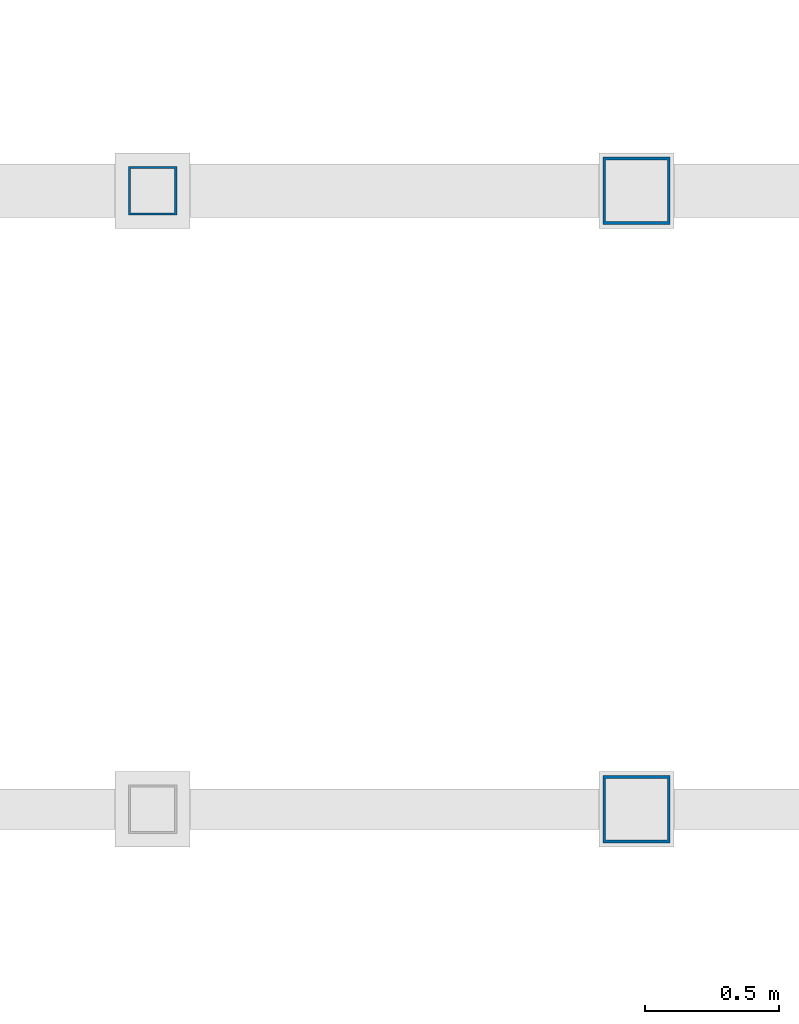
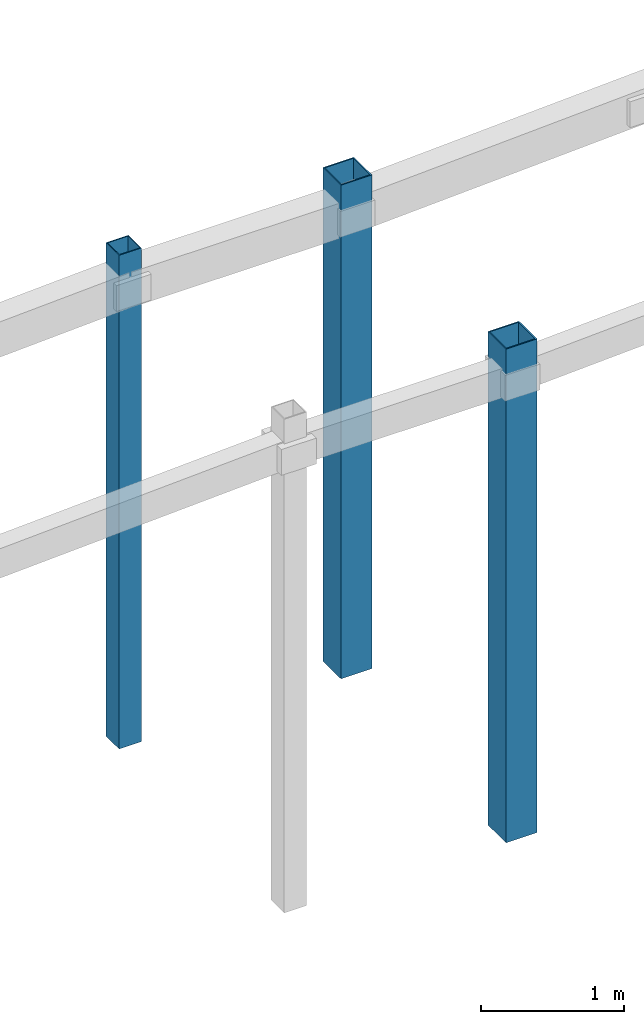
# One storey, part 10 of 89: 3 columns.
"""IFC4 building model written with IfcOpenShell, lengths in metres."""

import ifcopenshell
import ifcopenshell.guid

model = None  # the IFC model being written
_history = None  # IfcOwnerHistory: only IFC2X3 demands one
_inside = {}  # id of a spatial element -> (the spatial element, [elements in it])
_under = {}  # id of a project, library or spatial element -> (it, [spatial elements below it])
_declared = {}  # id of a project -> (the project, [libraries it declares])
_typed = {}  # id of a type object -> (the type object, [elements of that type])
_made_of = {}  # id of a material, layer set ... -> (it, [elements and type objects made of it])


def new_model(schema):
    """Start an empty IFC model of exactly this schema.

    Asked for "IFC4X3", IfcOpenShell would pick the latest addendum, in which some entities
    have other attributes; the version numbers below select the first issue.
    IFC2X3 requires an IfcOwnerHistory on every rooted entity: one is made here for all.
    """
    global model, _history
    if schema == "IFC4X3":
        model = ifcopenshell.file(schema_version=(4, 3, 0, 0))
    else:
        model = ifcopenshell.file(schema=schema)
    _inside.clear()
    _under.clear()
    _declared.clear()
    _typed.clear()
    _made_of.clear()
    _history = None
    if model.schema == "IFC2X3":
        org = make("IfcOrganization", Name="unknown")
        user = make(
            "IfcPersonAndOrganization",
            ThePerson=make("IfcPerson", FamilyName="unknown"),
            TheOrganization=org,
        )
        app = make(
            "IfcApplication",
            ApplicationDeveloper=org,
            Version="unknown",
            ApplicationFullName="unknown",
            ApplicationIdentifier="unknown",
        )
        _history = make(
            "IfcOwnerHistory",
            OwningUser=user,
            OwningApplication=app,
            ChangeAction="ADDED",
            CreationDate=0,
        )
    return model


def make(cls, **values):
    """One entity of the class cls with the attributes given. An attribute that is None is left unset."""
    return model.create_entity(
        cls, **{name: value for name, value in values.items() if value is not None}
    )


def rooted(cls, **values):
    """An entity with a GlobalId (a new one), such as an element, a storey or a relation."""
    return make(cls, GlobalId=ifcopenshell.guid.new(), OwnerHistory=_history, **values)


def si_unit(unit_type, name, prefix=None):
    """IfcSIUnit, for example si_unit("LENGTHUNIT", "METRE", prefix="MILLI")."""
    return make("IfcSIUnit", UnitType=unit_type, Prefix=prefix, Name=name)


def assignment(units):
    """IfcUnitAssignment: the units of a project."""
    return None if units is None else make("IfcUnitAssignment", Units=units)


def point(xyz):
    """IfcCartesianPoint."""
    return None if xyz is None else make("IfcCartesianPoint", Coordinates=xyz)


def direction(xyz):
    """IfcDirection."""
    return None if xyz is None else make("IfcDirection", DirectionRatios=xyz)


def frame(location, z_axis=None, x_axis=None):
    """IfcAxis2Placement3D, a coordinate frame: its origin and axes. An axis left out is left unset."""
    return make(
        "IfcAxis2Placement3D",
        Location=point(location),
        Axis=direction(z_axis),
        RefDirection=direction(x_axis),
    )


def frame_2d(location, x_axis=None):
    """IfcAxis2Placement2D, a coordinate frame in the plane: its origin and x axis."""
    return make(
        "IfcAxis2Placement2D", Location=point(location), RefDirection=direction(x_axis)
    )


def origin():
    """The frame at (0, 0, 0) with its axes left unset."""
    return frame((0.0, 0.0, 0.0))


def origin_2d():
    """The frame at (0, 0) in the plane with its x axis left unset."""
    return frame_2d((0.0, 0.0))


def place(relative_to, where):
    """IfcLocalPlacement: puts the frame where relative to a parent placement (None: the world)."""
    return make(
        "IfcLocalPlacement", PlacementRelTo=relative_to, RelativePlacement=where
    )


def context(
    kind, dimensions, precision=None, world=None, true_north=None, identifier=None
):
    """IfcGeometricRepresentationContext, for example the 3D "Model" context."""
    return make(
        "IfcGeometricRepresentationContext",
        ContextIdentifier=identifier,
        ContextType=kind,
        CoordinateSpaceDimension=dimensions,
        Precision=precision,
        WorldCoordinateSystem=world,
        TrueNorth=true_north,
    )


def subcontext(parent, identifier, kind, view, scale=None):
    """IfcGeometricRepresentationSubContext, for example "Body" below "Model"."""
    return make(
        "IfcGeometricRepresentationSubContext",
        ContextIdentifier=identifier,
        ContextType=kind,
        ParentContext=parent,
        TargetScale=scale,
        TargetView=view,
    )


def project(units=None, contexts=None):
    """IfcProject with its units and contexts."""
    return rooted(
        "IfcProject",
        Name="project",
        RepresentationContexts=contexts,
        UnitsInContext=assignment(units),
    )


def spatial(cls, under=None, at=None, **own):
    """A site, building, storey or space (cls), placed at a placement, below another one or the project."""
    s = rooted(cls, ObjectPlacement=at, **own)
    if under is not None:
        _under.setdefault(under.id(), (under, []))[1].append(s)
    return s


def profile(cls, at=None, kind="AREA", **sizes):
    """A parametric profile (cls). Its sizes go by their IFC names, for example OverallWidth=200.0."""
    return make(cls, ProfileType=kind, Position=at, **sizes)


def hollow_rectangle(**sizes):
    """IfcRectangleHollowProfileDef."""
    return profile("IfcRectangleHollowProfileDef", **sizes)


def extrude(swept, where, along, depth):
    """IfcExtrudedAreaSolid: the profile swept, set in the frame where, extruded along a direction by depth."""
    return make(
        "IfcExtrudedAreaSolid",
        SweptArea=swept,
        Position=where,
        ExtrudedDirection=direction(along),
        Depth=depth,
    )


def shape(context_of_items, identifier, shape_type, items):
    """IfcShapeRepresentation: the items that make up one representation, for example the "Body"."""
    return make(
        "IfcShapeRepresentation",
        ContextOfItems=context_of_items,
        RepresentationIdentifier=identifier,
        RepresentationType=shape_type,
        Items=items,
    )


def material(Name=None, Category=None):
    """IfcMaterial."""
    return make("IfcMaterial", Name=Name, Category=Category)


def material_profile(
    of_material, cross_section, Name=None, Category=None, Priority=None
):
    """IfcMaterialProfile: a cross section and its material."""
    return make(
        "IfcMaterialProfile",
        Name=Name,
        Material=of_material,
        Profile=cross_section,
        Priority=Priority,
        Category=Category,
    )


def profile_set(profiles, Name=None, composite=None):
    """IfcMaterialProfileSet."""
    return make(
        "IfcMaterialProfileSet",
        Name=Name,
        MaterialProfiles=profiles,
        CompositeProfile=composite,
    )


def made_of(thing, what):
    """Note that an element or type object is made of a material, layer set ...; save() writes the relation."""
    if what is not None:
        _made_of.setdefault(what.id(), (what, []))[1].append(thing)
    return thing


def type_object(cls, material=None, **own):
    """A type object (cls), such as IfcWallType, which elements share."""
    return made_of(rooted(cls, **own), material)


def element(
    cls,
    number,
    at=None,
    inside=None,
    cuts=None,
    type_object=None,
    material=None,
    context=None,
    identifier="Body",
    shape_type=None,
    held_by="IfcProductDefinitionShape",
    body=None,
    shapes=None,
    **own,
):
    """One element of the class cls, such as IfcWall. Its Tag is "e" and its number.

    at: its placement. inside: the storey or other place that contains it. cuts: it is an
    opening in that element (IfcRelVoidsElement). A single representation is given by context,
    identifier, shape_type and body (its items); several are given by shapes. held_by: the class
    of the entity that holds the representations. save() writes the other relations.
    """
    e = rooted(cls, Tag="e%d" % number, ObjectPlacement=at, **own)
    if body is not None:
        shapes = [shape(context, identifier, shape_type, body)]
    if shapes is not None:
        e.Representation = make(held_by, Representations=shapes)
    if inside is not None:
        _inside.setdefault(inside.id(), (inside, []))[1].append(e)
    if cuts is not None:
        rooted(
            "IfcRelVoidsElement", RelatingBuildingElement=cuts, RelatedOpeningElement=e
        )
    if type_object is not None:
        _typed.setdefault(type_object.id(), (type_object, []))[1].append(e)
    return made_of(e, material)


def aggregate(whole, parts):
    """IfcRelAggregates: a whole, such as a stair, and the parts it consists of."""
    return rooted("IfcRelAggregates", RelatingObject=whole, RelatedObjects=parts)


def save(model, path):
    """Write the relations noted so far, then the file.

    IfcRelAggregates (storeys below a building ...), IfcRelContainedInSpatialStructure (elements
    in a storey), IfcRelDefinesByType, IfcRelAssociatesMaterial and IfcRelDeclares: one each for
    every whole, place, type object, material and project.
    """
    for whole, parts in _under.values():
        aggregate(whole, parts)
    for where, things in _inside.values():
        rooted(
            "IfcRelContainedInSpatialStructure",
            RelatedElements=things,
            RelatingStructure=where,
        )
    for kind, things in _typed.values():
        rooted("IfcRelDefinesByType", RelatedObjects=things, RelatingType=kind)
    for what, things in _made_of.values():
        rooted("IfcRelAssociatesMaterial", RelatedObjects=things, RelatingMaterial=what)
    for by, libraries in _declared.values():
        rooted("IfcRelDeclares", RelatingContext=by, RelatedDefinitions=libraries)
    model.write(path)


model = new_model("IFC4")

# Units and contexts
model_context = context("Model", 3, precision=1e-05, world=origin(), true_north=direction((0.0, 1.0)))
body_context = subcontext(model_context, "Body", "Model", "MODEL_VIEW")
ifc_project = project(units=[si_unit("LENGTHUNIT", "METRE"), si_unit("AREAUNIT", "SQUARE_METRE"), si_unit("VOLUMEUNIT", "CUBIC_METRE"), si_unit("PLANEANGLEUNIT", "RADIAN"), si_unit("MASSUNIT", "GRAM", prefix="KILO")], contexts=[model_context])

# Site, building, storey
site_placement = place(None, origin())
site = spatial("IfcSite", under=ifc_project, at=site_placement, CompositionType="ELEMENT")
building_placement = place(site_placement, origin())
building = spatial("IfcBuilding", under=site, at=building_placement, Name="Malvenik Polytechnic", CompositionType="ELEMENT")
storey_placement = place(building_placement, frame((0.0, 0.0, 13.5)))
storey = spatial("IfcBuildingStorey", under=building, at=storey_placement, Name="L03", CompositionType="ELEMENT", Elevation=13.5)

# Columns
ifc_material = material(Name="Steel S355J2H", Category="steel")
ifc_material_profile_1 = material_profile(ifc_material, hollow_rectangle(XDim=0.25, YDim=0.25, WallThickness=0.010009765625, at=origin_2d()), Name="SHS 250x250x10.0")
ifc_profile_set_1 = profile_set([ifc_material_profile_1], Name="Steel S355J2H")
column_type_1 = type_object("IfcColumnType", Name="STR-SCOL-SC-01", PredefinedType="COLUMN", material=ifc_profile_set_1)
for number, where, z_axis, x_axis, name in (
    (1, (59.199951171875, 103.14990234375, 0.0), (0.0, 0.0, 1.0), (1.0, 0.0, 0.0), "Bridge-Ramp Support Column SC-01 L03"),
    (2, (59.199951171875, 105.449951171875, 0.0), (0.0, 0.0, 1.0), (1.0, 0.0, 0.0), "Bridge-Ramp Support Column SC-01 L03"),
):
    element("IfcColumn", number, at=place(storey_placement, frame(where, z_axis=z_axis, x_axis=x_axis)), inside=storey, type_object=column_type_1, Name=name, PredefinedType="COLUMN", context=body_context, shape_type="SweptSolid", body=[
        extrude(hollow_rectangle(XDim=0.25, YDim=0.25, WallThickness=0.010009765625, at=origin_2d()), origin(), (0.0, 0.0, 1.0), 4.199951171875),
    ])
ifc_material_profile_2 = material_profile(ifc_material, hollow_rectangle(XDim=0.179931640625, YDim=0.179931640625, WallThickness=0.008056640625, at=origin_2d()), Name="SHS 180x180x8.0")
ifc_profile_set_2 = profile_set([ifc_material_profile_2], Name="Steel S355J2H")
column_type_2 = type_object("IfcColumnType", Name="STR-SCOL-SC-06", PredefinedType="COLUMN", material=ifc_profile_set_2)
column_placement = place(storey_placement, frame((57.39990234375, 105.449951171875, 0.0), z_axis=(0.0, 0.0, 1.0), x_axis=(1.0, 0.0, 0.0)))
element("IfcColumn", 3, at=column_placement, inside=storey, type_object=column_type_2, Name="Bridge-Ramp Support Column SC-06 L03", PredefinedType="COLUMN", context=body_context, shape_type="SweptSolid", body=[
    extrude(hollow_rectangle(XDim=0.179931640625, YDim=0.179931640625, WallThickness=0.008056640625, at=origin_2d()), origin(), (0.0, 0.0, 1.0), 4.199951171875),
])

save(model, "model.ifc")
